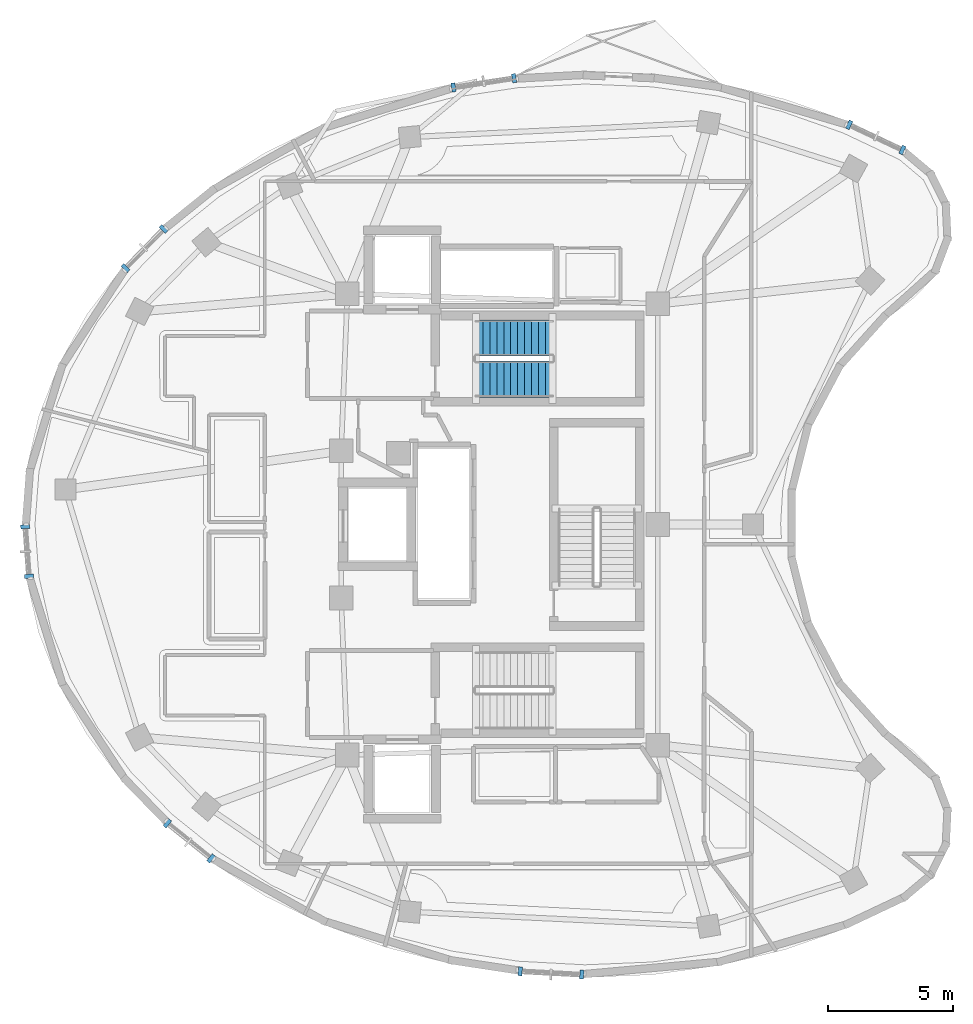
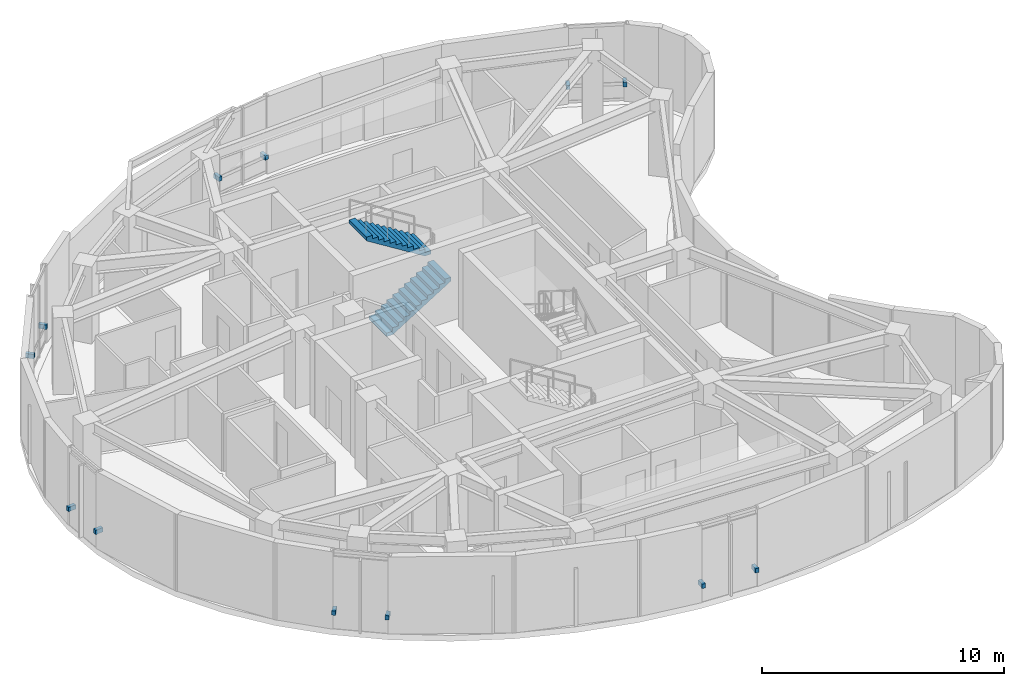
# One storey, part 7 of 10: 12 discrete accessories, 2 stair flights, 1 element without a shape of its own.
"""IFC4 building model written with IfcOpenShell, lengths in metres."""

from ifc_helpers import new_model, si_unit, direction, frame, origin, origin_2d, place, context, subcontext, project, spatial, polyline, rectangle, outline, extrude, material, type_object, element, aggregate, save


model = new_model("IFC4")

# Units and contexts
model_context = context("Model", 3, precision=1e-05, world=origin(), true_north=direction((0.0, 1.0)))
body_context = subcontext(model_context, "Body", "Model", "MODEL_VIEW")
ifc_project = project(units=[si_unit("LENGTHUNIT", "METRE"), si_unit("AREAUNIT", "SQUARE_METRE"), si_unit("VOLUMEUNIT", "CUBIC_METRE"), si_unit("PLANEANGLEUNIT", "RADIAN"), si_unit("MASSUNIT", "GRAM", prefix="KILO")], contexts=[model_context])

# Site, building, storey
site_placement = place(None, origin())
site = spatial("IfcSite", under=ifc_project, at=site_placement, CompositionType="ELEMENT")
building_placement = place(site_placement, origin())
building = spatial("IfcBuilding", under=site, at=building_placement, Name="Korentha Bioscience Tower", CompositionType="ELEMENT")
storey_placement = place(building_placement, frame((0.0, 0.0, 306.0)))
storey = spatial("IfcBuildingStorey", under=building, at=storey_placement, Name="L70", CompositionType="ELEMENT", Elevation=306.0)

# Stair, stair flights
ifc_material_1 = material(Name="Precast Concrete C50", Category="concrete")
stair_type = type_object("IfcStairType", Name="Core Exit Dog-Leg Stair 1450", PredefinedType="HALF_TURN_STAIR", material=ifc_material_1)
stair_placement = place(storey_placement, origin())
stair = element("IfcStair", 1, at=stair_placement, inside=storey, type_object=stair_type, Name="L70 Tower North Pressurized Exit Stair ST-1", PredefinedType="HALF_TURN_STAIR")
stair_flight_type = type_object("IfcStairFlightType", Name="Core Exit Dog-Leg Stair 1450 Flight", PredefinedType="STRAIGHT", material=ifc_material_1)
stair_flight_1_placement = place(storey_placement, frame((30.25, 32.824951171875, 0.0), z_axis=(0.0, 0.0, 1.0), x_axis=(1.0, 0.0, 0.0)))
stair_flight_1 = element("IfcStairFlight", 2, at=stair_flight_1_placement, type_object=stair_flight_type, Name="ST-1 flight 1", NumberOfRisers=12, NumberOfTreads=11, PredefinedType="STRAIGHT", RiserHeight=0.175, TreadLength=0.28, context=body_context, shape_type="SweptSolid", body=[
    extrude(outline(polyline([(0.0, 0.0), (0.0, 0.175048828125), (0.280029296875, 0.175048828125), (0.280029296875, 0.35009765625), (0.56005859375, 0.35009765625), (0.56005859375, 0.52490234375), (0.840087890625, 0.52490234375), (0.840087890625, 0.699951171875), (1.1201171875, 0.699951171875), (1.1201171875, 0.875), (1.39990234375, 0.875), (1.39990234375, 1.050048828125), (1.679931640625, 1.050048828125), (1.679931640625, 1.22509765625), (1.9599609375, 1.22509765625), (1.9599609375, 1.39990234375), (2.239990234375, 1.39990234375), (2.239990234375, 1.574951171875), (2.52001953125, 1.574951171875), (2.52001953125, 1.75), (2.800048828125, 1.75), (2.800048828125, 1.925048828125), (3.080078125, 1.925048828125), (3.080078125, 2.10009765625), (3.080078125, 1.736328125), (0.3017578125, 0.0), (0.0, 0.0)])), frame((0.0, 0.72509765625, 0.0), z_axis=(0.0, -1.0, 0.0), x_axis=(1.0, 0.0, 0.0)), (0.0, 0.0, 1.0), 1.449951171875),
])
stair_flight_2_placement = place(storey_placement, frame((33.330078125, 34.47509765625, 2.10009765625), z_axis=(0.0, 0.0, 1.0), x_axis=(-1.0, 0.0, 0.0)))
stair_flight_2 = element("IfcStairFlight", 3, at=stair_flight_2_placement, type_object=stair_flight_type, Name="ST-1 flight 2", NumberOfRisers=12, NumberOfTreads=11, PredefinedType="STRAIGHT", RiserHeight=0.175, TreadLength=0.28, context=body_context, shape_type="SweptSolid", body=[
    extrude(outline(polyline([(0.0, 0.0), (0.0, 0.175048828125), (0.280029296875, 0.175048828125), (0.280029296875, 0.35009765625), (0.56005859375, 0.35009765625), (0.56005859375, 0.52490234375), (0.840087890625, 0.52490234375), (0.840087890625, 0.699951171875), (1.1201171875, 0.699951171875), (1.1201171875, 0.875), (1.39990234375, 0.875), (1.39990234375, 1.050048828125), (1.679931640625, 1.050048828125), (1.679931640625, 1.22509765625), (1.9599609375, 1.22509765625), (1.9599609375, 1.39990234375), (2.239990234375, 1.39990234375), (2.239990234375, 1.574951171875), (2.52001953125, 1.574951171875), (2.52001953125, 1.75), (2.800048828125, 1.75), (2.800048828125, 1.925048828125), (3.080078125, 1.925048828125), (3.080078125, 2.10009765625), (3.080078125, 1.736328125), (0.3017578125, 0.0), (0.0, 0.0)])), frame((0.0, 0.72509765625, 0.0), z_axis=(0.0, -1.0, 0.0), x_axis=(1.0, 0.0, 0.0)), (0.0, 0.0, 1.0), 1.449951171875),
])
aggregate(stair, [stair_flight_1, stair_flight_2])

# Discrete accessories
ifc_material_2 = material(Name="Stainless Steel 316", Category="steel")
discrete_accessory_type = type_object("IfcDiscreteAccessoryType", Name="Stainless Steel Solar-Screen Outrigger Bracket", PredefinedType="BRACKET", material=ifc_material_2)
for number, where, z_axis, x_axis, name in (
    (4, (47.356201171875, 42.017333984375, 0.740234375), (0.0, 0.0, 1.0), (-0.904397382054, 0.426691194347, 0.0), "CW-L70-01 Solar-Screen Support Bracket 1"),
    (5, (45.221923828125, 43.0244140625, 0.740234375), (0.0, 0.0, 1.0), (-0.904397382054, 0.426691194347, 0.0), "CW-L70-01 Solar-Screen Support Bracket 2"),
    (6, (31.7861328125, 44.8955078125, 0.740234375), (0.0, 0.0, 1.0), (-0.988621035391, -0.150427551942, 0.0), "CW-L70-07 Solar-Screen Support Bracket 1"),
    (7, (29.354736328125, 44.525390625, 0.740234375), (0.0, 0.0, 1.0), (-0.988621035391, -0.150427551942, 0.0), "CW-L70-07 Solar-Screen Support Bracket 2"),
    (8, (17.727783203125, 38.8466796875, 0.740234375), (0.0, 0.0, 1.0), (-0.697567217128, -0.716519349067, 0.0), "CW-L70-13 Solar-Screen Support Bracket 1"),
    (9, (16.202392578125, 37.279541015625, 0.740234375), (0.0, 0.0, 1.0), (-0.697567217128, -0.716519349067, 0.0), "CW-L70-13 Solar-Screen Support Bracket 2"),
    (10, (12.177734375, 26.91259765625, 0.740234375), (0.0, 0.0, 1.0), (0.075073021346, -0.997178039001, 0.0), "CW-L70-19 Solar-Screen Support Bracket 1"),
    (11, (12.327392578125, 24.92431640625, 0.740234375), (0.0, 0.0, 1.0), (0.075073021346, -0.997178039001, 0.0), "CW-L70-19 Solar-Screen Support Bracket 2"),
    (12, (17.882080078125, 15.01318359375, 0.740234375), (0.0, 0.0, 1.0), (0.778807101094, -0.62726350068, 0.0), "CW-L70-25 Solar-Screen Support Bracket 1"),
    (13, (19.630615234375, 13.60498046875, 0.740234375), (0.0, 0.0, 1.0), (0.778807101094, -0.62726350068, 0.0), "CW-L70-25 Solar-Screen Support Bracket 2"),
    (14, (32.0302734375, 9.07958984375, 0.740234375), (0.0, 0.0, 1.0), (0.998526001182, -0.054275454513, 0.0), "CW-L70-31 Solar-Screen Support Bracket 1"),
    (15, (34.499267578125, 8.9453125, 0.740234375), (0.0, 0.0, 1.0), (0.998526001182, -0.054275454513, 0.0), "CW-L70-31 Solar-Screen Support Bracket 2"),
):
    element("IfcDiscreteAccessory", number, at=place(storey_placement, frame(where, z_axis=z_axis, x_axis=x_axis)), inside=storey, type_object=discrete_accessory_type, Name=name, PredefinedType="BRACKET", context=body_context, shape_type="SweptSolid", body=[
        extrude(rectangle(XDim=0.159912109375, YDim=0.360107421875, at=origin_2d()), origin(), (0.0, 0.0, 1.0), 0.219970703125),
    ])

save(model, "model.ifc")
